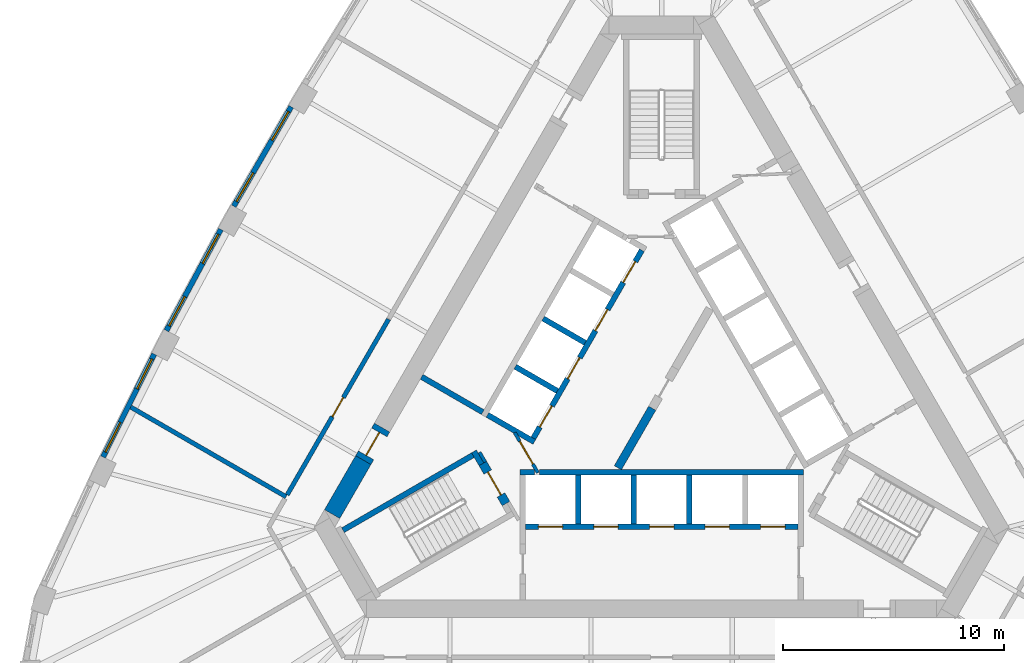
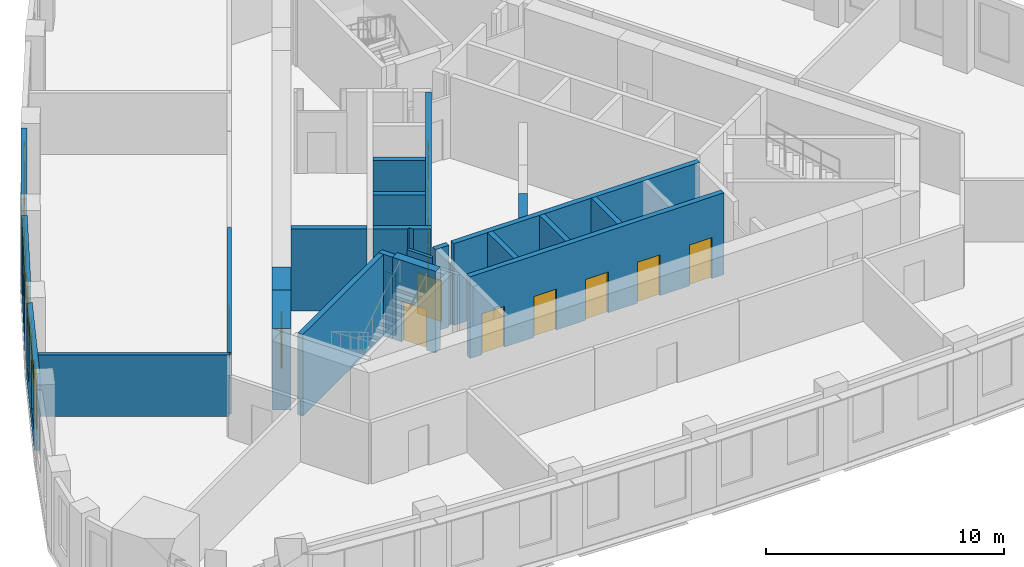
# One storey, part 4 of 9: 24 walls, 13 doors, 6 windows, 19 openings.
"""IFC4 building model written with IfcOpenShell, lengths in metres."""

from ifc_helpers import new_model, si_unit, direction, frame, frame_2d, origin, place, context, subcontext, project, spatial, polyline, rectangle, outline, extrude, material, layer, layer_set, type_object, element, fill, save


model = new_model("IFC4")

# Units and contexts
model_context = context("Model", 3, precision=1e-05, world=origin(), true_north=direction((0.0, 1.0)))
body_context = subcontext(model_context, "Body", "Model", "MODEL_VIEW")
ifc_project = project(units=[si_unit("LENGTHUNIT", "METRE"), si_unit("AREAUNIT", "SQUARE_METRE"), si_unit("VOLUMEUNIT", "CUBIC_METRE"), si_unit("PLANEANGLEUNIT", "RADIAN"), si_unit("MASSUNIT", "GRAM", prefix="KILO")], contexts=[model_context])

# Site, building, storey
site_placement = place(None, origin())
site = spatial("IfcSite", under=ifc_project, at=site_placement, CompositionType="ELEMENT")
building_placement = place(site_placement, origin())
building = spatial("IfcBuilding", under=site, at=building_placement, Name="Mestral Congress Tower", CompositionType="ELEMENT")
storey_placement = place(building_placement, frame((0.0, 0.0, 187.800048828125)))
storey = spatial("IfcBuildingStorey", under=building, at=storey_placement, Name="L44", CompositionType="ELEMENT", Elevation=187.800048828125)

# Walls
ifc_material_1 = material(Name="Fire-rated board partition")
ifc_layer_1 = layer(ifc_material_1, 0.14990234375)
ifc_layer_set_1 = layer_set([ifc_layer_1], Name="Fire-rated board partition")
wall_type_1 = type_object("IfcWallType", Name="Core partition 150", PredefinedType="PARTITIONING", material=ifc_layer_set_1)
wall_1_placement = place(storey_placement, frame((-8.251953125, -2.958251953125, 0.0), z_axis=(0.0, 0.0, 1.0), x_axis=(0.500174715838, -0.865924508047, 0.0)))
element("IfcWall", 1, at=wall_1_placement, inside=storey, type_object=wall_type_1, Name="L44 core wall", PredefinedType="PARTITIONING", context=body_context, shape_type="SweptSolid", body=[
    extrude(rectangle(XDim=0.513916015625, YDim=0.14990234375, at=frame_2d((0.2568359375, 0.0))), origin(), (0.0, 0.0, 1.0), 3.14990234375),
])
placement = place(storey_placement, origin())
element("IfcWall", 2, at=placement, inside=storey, type_object=wall_type_1, Name="L44 core wall", PredefinedType="PARTITIONING", context=body_context, shape_type="SweptSolid", body=[
    extrude(outline(polyline([(-0.590087890625, -0.871826171875), (-0.26513671875, -1.059326171875), (-1.822021484375, -3.755615234375), (-2.146728515625, -3.568115234375), (-0.590087890625, -0.871826171875)])), origin(), (0.0, 0.0, 1.0), 3.14990234375),
])

# Wall, opening, door
wall_3_placement = place(storey_placement, frame((-5.606201171875, -3.8896484375, 0.0), z_axis=(0.0, 0.0, 1.0), x_axis=(-0.500027713859, 0.866009402589, 0.0)))
wall_3 = element("IfcWall", 3, at=wall_3_placement, inside=storey, type_object=wall_type_1, Name="L44 door wall", PredefinedType="PARTITIONING", context=body_context, shape_type="SweptSolid", body=[
    extrude(rectangle(XDim=2.10009765625, YDim=0.14990234375, at=frame_2d((1.050048828125, 0.0))), origin(), (0.0, 0.0, 1.0), 3.14990234375),
])
opening_1_placement = place(wall_3_placement, frame((0.449951171875, 0.0, 0.0)))
opening_1 = element("IfcOpeningElement", 4, at=opening_1_placement, cuts=wall_3, Name="Opening CD3-FF", PredefinedType="OPENING", context=body_context, shape_type="SweptSolid", body=[
    extrude(rectangle(XDim=1.199951171875, YDim=2.10009765625, at=frame_2d((0.60009765625, 1.050048828125))), frame((0.0, 0.0849609375, 0.0), z_axis=(0.0, -1.0, 0.0), x_axis=(1.0, 0.0, 0.0)), (0.0, 0.0, 1.0), 0.169921875),
])
ifc_material_2 = material(Name="Fire-rated steel door set", Category="steel")
door_type_1 = type_object("IfcDoorType", Name="Core door CD 1200x2100", OperationType="SINGLE_SWING_LEFT", PredefinedType="DOOR", material=ifc_material_2)
door_1_placement = place(opening_1_placement, origin())
door_1 = element("IfcDoor", 5, at=door_1_placement, inside=storey, type_object=door_type_1, Name="Door CD3-FF", OperationType="SINGLE_SWING_LEFT", OverallHeight=2.10009765625, OverallWidth=1.199951171875, PredefinedType="DOOR", context=body_context, shape_type="SweptSolid", body=[
    extrude(rectangle(XDim=1.199951171875, YDim=2.10009765625, at=frame_2d((0.60009765625, 1.050048828125))), frame((0.0, 0.02490234375, 0.0), z_axis=(0.0, -1.0, 0.0), x_axis=(1.0, 0.0, 0.0)), (0.0, 0.0, 1.0), 0.050048828125),
])
fill(opening_1, door_1)

# Wall
ifc_material_3 = material(Name="Concrete C60/75", Category="concrete")
ifc_layer_2 = layer(ifc_material_3, 0.800048828125)
ifc_layer_set_2 = layer_set([ifc_layer_2], Name="Concrete C60/75")
wall_type_2 = type_object("IfcWallType", Name="Core wall RC 800", PredefinedType="SOLIDWALL", material=ifc_layer_set_2)
wall_4_placement = place(storey_placement, frame((-13.518310546875, -3.314208984375, 0.0), z_axis=(0.0, 0.0, 1.0), x_axis=(-0.499969377405, -0.866043083026, 0.0)))
element("IfcWall", 6, at=wall_4_placement, inside=storey, type_object=wall_type_2, Name="L44 core wall", PredefinedType="SOLIDWALL", context=body_context, shape_type="SweptSolid", body=[
    extrude(rectangle(XDim=2.824462890625, YDim=0.800048828125, at=frame_2d((1.412109375, 0.0))), origin(), (0.0, 0.0, 1.0), 4.199951171875),
])

# Wall, opening, door
wall_5_placement = place(storey_placement, frame((-13.518310546875, -3.314208984375, 0.0), z_axis=(0.0, 0.0, 1.0), x_axis=(0.500000056704, 0.866025371046, 0.0)))
wall_5 = element("IfcWall", 7, at=wall_5_placement, inside=storey, type_object=wall_type_2, Name="L44 door wall", PredefinedType="SOLIDWALL", context=body_context, shape_type="SweptSolid", body=[
    extrude(rectangle(XDim=1.7001953125, YDim=0.800048828125, at=frame_2d((0.85009765625, 0.0))), origin(), (0.0, 0.0, 1.0), 4.199951171875),
])
opening_2_placement = place(wall_5_placement, frame((0.25, 0.0, 0.0)))
opening_2 = element("IfcOpeningElement", 8, at=opening_2_placement, cuts=wall_5, Name="Opening XD3", PredefinedType="OPENING", context=body_context, shape_type="SweptSolid", body=[
    extrude(rectangle(XDim=1.199951171875, YDim=2.10009765625, at=frame_2d((0.60009765625, 1.050048828125))), frame((0.0, 0.409912109375, 0.0), z_axis=(0.0, -1.0, 0.0), x_axis=(1.0, 0.0, 0.0)), (0.0, 0.0, 1.0), 0.820068359375),
])
door_type_2 = type_object("IfcDoorType", Name="Core door XD 1200x2100", OperationType="SINGLE_SWING_LEFT", PredefinedType="DOOR", material=ifc_material_2)
door_2_placement = place(opening_2_placement, origin())
door_2 = element("IfcDoor", 9, at=door_2_placement, inside=storey, type_object=door_type_2, Name="Door XD3", OperationType="SINGLE_SWING_LEFT", OverallHeight=2.10009765625, OverallWidth=1.199951171875, PredefinedType="DOOR", context=body_context, shape_type="SweptSolid", body=[
    extrude(rectangle(XDim=1.199951171875, YDim=2.10009765625, at=frame_2d((0.60009765625, 1.050048828125))), frame((0.0, 0.02490234375, 0.0), z_axis=(0.0, -1.0, 0.0), x_axis=(1.0, 0.0, 0.0)), (0.0, 0.0, 1.0), 0.050048828125),
])
fill(opening_2, door_2)

# Wall, openings, windows
ifc_material_4 = material(Name="Precast concrete C40/50 with limestone facing", Category="masonry")
ifc_layer_3 = layer(ifc_material_4, 0.239990234375)
ifc_layer_set_3 = layer_set([ifc_layer_3], Name="Precast concrete C40/50 with limestone facing")
wall_type_3 = type_object("IfcWallType", Name="Facade stone wall 240", PredefinedType="SOLIDWALL", material=ifc_layer_set_3)
wall_6_placement = place(storey_placement, frame((-16.788818359375, 12.697265625, 0.0), z_axis=(0.0, 0.0, 1.0), x_axis=(-0.500009456303, -0.866019944116, 0.0)))
wall_6 = element("IfcWall", 10, at=wall_6_placement, inside=storey, type_object=wall_type_3, Name="Facade wall F2-03", PredefinedType="SOLIDWALL", context=body_context, shape_type="SweptSolid", body=[
    extrude(rectangle(XDim=5.20361328125, YDim=0.239990234375, at=frame_2d((2.601806640625, 0.0))), origin(), (0.0, 0.0, 1.0), 3.949951171875),
])
opening_3_placement = place(wall_6_placement, frame((0.248291015625, 0.0, 0.89990234375)))
opening_3 = element("IfcOpeningElement", 11, at=opening_3_placement, cuts=wall_6, Name="Opening W4", PredefinedType="OPENING", context=body_context, shape_type="SweptSolid", body=[
    extrude(rectangle(XDim=1.5, YDim=2.550048828125, at=frame_2d((0.75, 1.27490234375))), frame((0.0, 0.1298828125, 0.0), z_axis=(0.0, -1.0, 0.0), x_axis=(1.0, 0.0, 0.0)), (0.0, 0.0, 1.0), 0.260009765625),
])
opening_4_placement = place(wall_6_placement, frame((3.455078125, 0.0, 0.89990234375)))
opening_4 = element("IfcOpeningElement", 12, at=opening_4_placement, cuts=wall_6, Name="Opening W4", PredefinedType="OPENING", context=body_context, shape_type="SweptSolid", body=[
    extrude(rectangle(XDim=1.5, YDim=2.550048828125, at=frame_2d((0.75, 1.27490234375))), frame((0.0, 0.1298828125, 0.0), z_axis=(0.0, -1.0, 0.0), x_axis=(1.0, 0.0, 0.0)), (0.0, 0.0, 1.0), 0.260009765625),
])
ifc_material_5 = material(Name="Clear low-emissivity double glazing", Category="glass")
window_type = type_object("IfcWindowType", Name="Facade punched window 1500 x 2550 sill 900", PartitioningType="SINGLE_PANEL", PredefinedType="WINDOW", material=ifc_material_5)
window_1_placement = place(opening_3_placement, origin())
window_1 = element("IfcWindow", 13, at=window_1_placement, inside=storey, type_object=window_type, Name="Window F2-03a", OverallHeight=2.550048828125, OverallWidth=1.5, PartitioningType="SINGLE_PANEL", PredefinedType="WINDOW", context=body_context, shape_type="SweptSolid", body=[
    extrude(rectangle(XDim=1.5, YDim=2.550048828125, at=frame_2d((0.75, 1.27490234375))), frame((0.0, 0.0400390625, 0.0), z_axis=(0.0, -1.0, 0.0), x_axis=(1.0, 0.0, 0.0)), (0.0, 0.0, 1.0), 0.06005859375),
])
fill(opening_3, window_1)
window_2_placement = place(opening_4_placement, origin())
window_2 = element("IfcWindow", 14, at=window_2_placement, inside=storey, type_object=window_type, Name="Window F2-03b", OverallHeight=2.550048828125, OverallWidth=1.5, PartitioningType="SINGLE_PANEL", PredefinedType="WINDOW", context=body_context, shape_type="SweptSolid", body=[
    extrude(rectangle(XDim=1.5, YDim=2.550048828125, at=frame_2d((0.75, 1.27490234375))), frame((0.0, 0.0400390625, 0.0), z_axis=(0.0, -1.0, 0.0), x_axis=(1.0, 0.0, 0.0)), (0.0, 0.0, 1.0), 0.06005859375),
])
fill(opening_4, window_2)

wall_7_placement = place(storey_placement, frame((-19.976806640625, 7.138671875, 0.0), z_axis=(0.0, 0.0, 1.0), x_axis=(-0.473349833294, -0.880874528704, 0.0)))
wall_7 = element("IfcWall", 15, at=wall_7_placement, inside=storey, type_object=wall_type_3, Name="Facade wall F2-04", PredefinedType="SOLIDWALL", context=body_context, shape_type="SweptSolid", body=[
    extrude(rectangle(XDim=5.20361328125, YDim=0.239990234375, at=frame_2d((2.601806640625, 0.0))), origin(), (0.0, 0.0, 1.0), 3.949951171875),
])
opening_5_placement = place(wall_7_placement, frame((0.248291015625, 0.0, 0.89990234375)))
opening_5 = element("IfcOpeningElement", 16, at=opening_5_placement, cuts=wall_7, Name="Opening W4", PredefinedType="OPENING", context=body_context, shape_type="SweptSolid", body=[
    extrude(rectangle(XDim=1.5, YDim=2.550048828125, at=frame_2d((0.75, 1.27490234375))), frame((0.0, 0.1298828125, 0.0), z_axis=(0.0, -1.0, 0.0), x_axis=(1.0, 0.0, 0.0)), (0.0, 0.0, 1.0), 0.260009765625),
])
opening_6_placement = place(wall_7_placement, frame((3.455078125, 0.0, 0.89990234375)))
opening_6 = element("IfcOpeningElement", 17, at=opening_6_placement, cuts=wall_7, Name="Opening W4", PredefinedType="OPENING", context=body_context, shape_type="SweptSolid", body=[
    extrude(rectangle(XDim=1.5, YDim=2.550048828125, at=frame_2d((0.75, 1.27490234375))), frame((0.0, 0.1298828125, 0.0), z_axis=(0.0, -1.0, 0.0), x_axis=(1.0, 0.0, 0.0)), (0.0, 0.0, 1.0), 0.260009765625),
])
window_3_placement = place(opening_5_placement, origin())
window_3 = element("IfcWindow", 18, at=window_3_placement, inside=storey, type_object=window_type, Name="Window F2-04a", OverallHeight=2.550048828125, OverallWidth=1.5, PartitioningType="SINGLE_PANEL", PredefinedType="WINDOW", context=body_context, shape_type="SweptSolid", body=[
    extrude(rectangle(XDim=1.5, YDim=2.550048828125, at=frame_2d((0.75, 1.27490234375))), frame((0.0, 0.0400390625, 0.0), z_axis=(0.0, -1.0, 0.0), x_axis=(1.0, 0.0, 0.0)), (0.0, 0.0, 1.0), 0.06005859375),
])
fill(opening_5, window_3)
window_4_placement = place(opening_6_placement, origin())
window_4 = element("IfcWindow", 19, at=window_4_placement, inside=storey, type_object=window_type, Name="Window F2-04b", OverallHeight=2.550048828125, OverallWidth=1.5, PartitioningType="SINGLE_PANEL", PredefinedType="WINDOW", context=body_context, shape_type="SweptSolid", body=[
    extrude(rectangle(XDim=1.5, YDim=2.550048828125, at=frame_2d((0.75, 1.27490234375))), frame((0.0, 0.0400390625, 0.0), z_axis=(0.0, -1.0, 0.0), x_axis=(1.0, 0.0, 0.0)), (0.0, 0.0, 1.0), 0.06005859375),
])
fill(opening_6, window_4)

wall_8_placement = place(storey_placement, frame((-22.993896484375, 1.485107421875, 0.0), z_axis=(0.0, 0.0, 1.0), x_axis=(-0.446256171312, -0.8949052629, 0.0)))
wall_8 = element("IfcWall", 20, at=wall_8_placement, inside=storey, type_object=wall_type_3, Name="Facade wall F2-05", PredefinedType="SOLIDWALL", context=body_context, shape_type="SweptSolid", body=[
    extrude(rectangle(XDim=5.203369140625, YDim=0.239990234375, at=frame_2d((2.6015625, 0.0))), origin(), (0.0, 0.0, 1.0), 3.949951171875),
])
opening_7_placement = place(wall_8_placement, frame((0.248291015625, 0.0, 0.89990234375)))
opening_7 = element("IfcOpeningElement", 21, at=opening_7_placement, cuts=wall_8, Name="Opening W4", PredefinedType="OPENING", context=body_context, shape_type="SweptSolid", body=[
    extrude(rectangle(XDim=1.5, YDim=2.550048828125, at=frame_2d((0.75, 1.27490234375))), frame((0.0, 0.1298828125, 0.0), z_axis=(0.0, -1.0, 0.0), x_axis=(1.0, 0.0, 0.0)), (0.0, 0.0, 1.0), 0.260009765625),
])
opening_8_placement = place(wall_8_placement, frame((3.455078125, 0.0, 0.89990234375)))
opening_8 = element("IfcOpeningElement", 22, at=opening_8_placement, cuts=wall_8, Name="Opening W4", PredefinedType="OPENING", context=body_context, shape_type="SweptSolid", body=[
    extrude(rectangle(XDim=1.5, YDim=2.550048828125, at=frame_2d((0.75, 1.27490234375))), frame((0.0, 0.1298828125, 0.0), z_axis=(0.0, -1.0, 0.0), x_axis=(1.0, 0.0, 0.0)), (0.0, 0.0, 1.0), 0.260009765625),
])
window_5_placement = place(opening_7_placement, origin())
window_5 = element("IfcWindow", 23, at=window_5_placement, inside=storey, type_object=window_type, Name="Window F2-05a", OverallHeight=2.550048828125, OverallWidth=1.5, PartitioningType="SINGLE_PANEL", PredefinedType="WINDOW", context=body_context, shape_type="SweptSolid", body=[
    extrude(rectangle(XDim=1.5, YDim=2.550048828125, at=frame_2d((0.75, 1.27490234375))), frame((0.0, 0.0400390625, 0.0), z_axis=(0.0, -1.0, 0.0), x_axis=(1.0, 0.0, 0.0)), (0.0, 0.0, 1.0), 0.06005859375),
])
fill(opening_7, window_5)
window_6_placement = place(opening_8_placement, origin())
window_6 = element("IfcWindow", 24, at=window_6_placement, inside=storey, type_object=window_type, Name="Window F2-05b", OverallHeight=2.550048828125, OverallWidth=1.5, PartitioningType="SINGLE_PANEL", PredefinedType="WINDOW", context=body_context, shape_type="SweptSolid", body=[
    extrude(rectangle(XDim=1.5, YDim=2.550048828125, at=frame_2d((0.75, 1.27490234375))), frame((0.0, 0.0400390625, 0.0), z_axis=(0.0, -1.0, 0.0), x_axis=(1.0, 0.0, 0.0)), (0.0, 0.0, 1.0), 0.06005859375),
])
fill(opening_8, window_6)

# Wall
ifc_material_6 = material(Name="Dense masonry wall, plastered", Category="masonry")
ifc_layer_4 = layer(ifc_material_6, 0.199951171875)
ifc_layer_set_4 = layer_set([ifc_layer_4], Name="Dense masonry wall, plastered")
wall_type_4 = type_object("IfcWallType", Name="Office tenancy wall 200", PredefinedType="PARTITIONING", material=ifc_layer_set_4)
wall_9_placement = place(storey_placement, frame((-17.017822265625, -4.9755859375, 0.0), z_axis=(0.0, 0.0, 1.0), x_axis=(-0.866034495264, 0.499984252764, 0.0)))
element("IfcWall", 25, at=wall_9_placement, inside=storey, type_object=wall_type_4, Name="Tenancy wall", PredefinedType="PARTITIONING", context=body_context, shape_type="SweptSolid", body=[
    extrude(rectangle(XDim=8.126220703125, YDim=0.199951171875, at=frame_2d((4.06298828125, 0.0))), origin(), (0.0, 0.0, 1.0), 3.14990234375),
])

# Wall, opening, door
wall_10_placement = place(storey_placement, frame((-12.373779296875, 3.06787109375, 0.0), z_axis=(0.0, 0.0, 1.0), x_axis=(-0.50000000053, -0.866025403479, 0.0)))
wall_10 = element("IfcWall", 26, at=wall_10_placement, inside=storey, type_object=wall_type_4, Name="Tenancy wall", PredefinedType="PARTITIONING", context=body_context, shape_type="SweptSolid", body=[
    extrude(rectangle(XDim=9.18798828125, YDim=0.199951171875, at=frame_2d((4.593994140625, 0.0))), origin(), (0.0, 0.0, 1.0), 3.14990234375),
])
opening_9_placement = place(wall_10_placement, frame((4.10009765625, 0.0, 0.0)))
opening_9 = element("IfcOpeningElement", 27, at=opening_9_placement, cuts=wall_10, Name="Opening O04-008", PredefinedType="OPENING", context=body_context, shape_type="SweptSolid", body=[
    extrude(rectangle(XDim=1.0, YDim=2.10009765625, at=frame_2d((0.5, 1.050048828125))), frame((0.0, 0.10986328125, 0.0), z_axis=(0.0, -1.0, 0.0), x_axis=(1.0, 0.0, 0.0)), (0.0, 0.0, 1.0), 0.219970703125),
])
ifc_material_7 = material(Name="Fire-rated timber door set", Category="wood")
door_type_3 = type_object("IfcDoorType", Name="Office tenancy entrance door 1000x2100", OperationType="SINGLE_SWING_LEFT", PredefinedType="DOOR", material=ifc_material_7)
door_3_placement = place(opening_9_placement, origin())
door_3 = element("IfcDoor", 28, at=door_3_placement, inside=storey, type_object=door_type_3, Name="Door O04-008", OperationType="SINGLE_SWING_RIGHT", OverallHeight=2.10009765625, OverallWidth=1.0, PredefinedType="DOOR", context=body_context, shape_type="SweptSolid", body=[
    extrude(rectangle(XDim=1.0, YDim=2.10009765625, at=frame_2d((0.5, 1.050048828125))), frame((0.0, 0.02490234375, 0.0), z_axis=(0.0, -1.0, 0.0), x_axis=(1.0, 0.0, 0.0)), (0.0, 0.0, 1.0), 0.050048828125),
])
fill(opening_9, door_3)

# Walls
ifc_layer_5 = layer(ifc_material_3, 0.25)
ifc_layer_set_5 = layer_set([ifc_layer_5], Name="Concrete C60/75")
wall_type_5 = type_object("IfcWallType", Name="Shaft wall RC 250", PredefinedType="SOLIDWALL", material=ifc_layer_set_5)
wall_11_placement = place(storey_placement, frame((-5.544921875, -3.875, 0.0), z_axis=(0.0, 0.0, 1.0), x_axis=(1.0, 0.0, 0.0)))
element("IfcWall", 29, at=wall_11_placement, inside=storey, type_object=wall_type_5, Name="L44 core wall", PredefinedType="SOLIDWALL", context=body_context, shape_type="SweptSolid", body=[
    extrude(rectangle(XDim=11.969970703125, YDim=0.25, at=frame_2d((5.98486328125, 0.0))), origin(), (0.0, 0.0, 1.0), 4.199951171875),
])
wall_12_placement = place(storey_placement, frame((-6.425048828125, -3.875, 0.0), z_axis=(0.0, 0.0, 1.0), x_axis=(1.0, 0.0, 0.0)))
element("IfcWall", 30, at=wall_12_placement, inside=storey, type_object=wall_type_5, Name="L44 core wall", PredefinedType="SOLIDWALL", context=body_context, shape_type="SweptSolid", body=[
    extrude(rectangle(XDim=0.657958984375, YDim=0.25, at=frame_2d((0.3291015625, 0.0))), origin(), (0.0, 0.0, 1.0), 4.199951171875),
])
for number, where, z_axis, x_axis, name in (
    (31, (1.260009765625, -4.0, 0.0), (0.0, 0.0, 1.0), (0.0, -1.0, 0.0), "L44 core wall"),
    (32, (-1.260009765625, -4.0, 0.0), (0.0, 0.0, 1.0), (0.0, -1.0, 0.0), "L44 core wall"),
    (33, (-3.780029296875, -4.0, 0.0), (0.0, 0.0, 1.0), (0.0, -1.0, 0.0), "L44 core wall"),
    (34, (-5.369384765625, 3.10009765625, 0.0), (0.0, 0.0, 1.0), (0.866008176907, -0.50002983664, 0.0), "L44 core wall"),
    (35, (-4.72412109375, -0.182373046875, 0.0), (0.0, 0.0, 1.0), (-0.866008176907, 0.50002983664, 0.0), "L44 core wall"),
):
    element("IfcWall", number, at=place(storey_placement, frame(where, z_axis=z_axis, x_axis=x_axis)), inside=storey, type_object=wall_type_5, Name=name, PredefinedType="SOLIDWALL", context=body_context, shape_type="SweptSolid", body=[
        extrude(rectangle(XDim=2.199951171875, YDim=0.25, at=frame_2d((1.10009765625, 0.0))), origin(), (0.0, 0.0, 1.0), 4.199951171875),
    ])
element("IfcWall", 36, at=placement, inside=storey, type_object=wall_type_5, Name="L44 core wall", PredefinedType="SOLIDWALL", context=body_context, shape_type="SweptSolid", body=[
    extrude(outline(polyline([(-5.921630859375, -2.256591796875), (-5.921630859375, -2.256591796875), (-5.705078125, -2.381591796875), (-5.830078125, -2.597900390625), (-6.48291015625, -2.22119140625), (-6.59130859375, -2.033447265625), (-6.59130859375, -2.033447265625), (-6.69970703125, -2.095947265625), (-7.951904296875, -1.373046875), (-7.826904296875, -1.156494140625), (-5.921630859375, -2.256591796875)])), origin(), (0.0, 0.0, 1.0), 4.199951171875),
])
wall_14_placement = place(storey_placement, frame((-8.10595703125, -1.139892578125, 0.0), z_axis=(0.0, 0.0, 1.0), x_axis=(-0.866008981251, 0.500028443584, 0.0)))
element("IfcWall", 37, at=wall_14_placement, inside=storey, type_object=wall_type_5, Name="L44 core wall", PredefinedType="SOLIDWALL", context=body_context, shape_type="SweptSolid", body=[
    extrude(rectangle(XDim=3.199951171875, YDim=0.25, at=frame_2d((1.60009765625, 0.0))), origin(), (0.0, 0.0, 1.0), 4.199951171875),
])

# Wall, openings, doors
wall_15_placement = place(storey_placement, frame((-6.175048828125, -6.324951171875, 0.0), z_axis=(0.0, 0.0, 1.0), x_axis=(1.0, 0.0, 0.0)))
wall_15 = element("IfcWall", 38, at=wall_15_placement, inside=storey, type_object=wall_type_5, Name="L44 door wall", PredefinedType="SOLIDWALL", context=body_context, shape_type="SweptSolid", body=[
    extrude(rectangle(XDim=12.35009765625, YDim=0.25, at=frame_2d((6.175048828125, 0.0))), origin(), (0.0, 0.0, 1.0), 4.199951171875),
])
opening_10_placement = place(wall_15_placement, frame((0.5849609375, 0.0, 0.0)))
opening_10 = element("IfcOpeningElement", 39, at=opening_10_placement, cuts=wall_15, Name="Opening LD-SOB1", PredefinedType="OPENING", context=body_context, shape_type="SweptSolid", body=[
    extrude(rectangle(XDim=1.10009765625, YDim=2.10009765625, at=frame_2d((0.550048828125, 1.050048828125))), frame((0.0, 0.135009765625, 0.0), z_axis=(0.0, -1.0, 0.0), x_axis=(1.0, 0.0, 0.0)), (0.0, 0.0, 1.0), 0.27001953125),
])
opening_11_placement = place(wall_15_placement, frame((3.10498046875, 0.0, 0.0)))
opening_11 = element("IfcOpeningElement", 40, at=opening_11_placement, cuts=wall_15, Name="Opening LD-SOB2", PredefinedType="OPENING", context=body_context, shape_type="SweptSolid", body=[
    extrude(rectangle(XDim=1.10009765625, YDim=2.10009765625, at=frame_2d((0.550048828125, 1.050048828125))), frame((0.0, 0.135009765625, 0.0), z_axis=(0.0, -1.0, 0.0), x_axis=(1.0, 0.0, 0.0)), (0.0, 0.0, 1.0), 0.27001953125),
])
opening_12_placement = place(wall_15_placement, frame((5.625, 0.0, 0.0)))
opening_12 = element("IfcOpeningElement", 41, at=opening_12_placement, cuts=wall_15, Name="Opening LD-SOB3", PredefinedType="OPENING", context=body_context, shape_type="SweptSolid", body=[
    extrude(rectangle(XDim=1.10009765625, YDim=2.10009765625, at=frame_2d((0.550048828125, 1.050048828125))), frame((0.0, 0.135009765625, 0.0), z_axis=(0.0, -1.0, 0.0), x_axis=(1.0, 0.0, 0.0)), (0.0, 0.0, 1.0), 0.27001953125),
])
opening_13_placement = place(wall_15_placement, frame((8.14501953125, 0.0, 0.0)))
opening_13 = element("IfcOpeningElement", 42, at=opening_13_placement, cuts=wall_15, Name="Opening LD-SOB4", PredefinedType="OPENING", context=body_context, shape_type="SweptSolid", body=[
    extrude(rectangle(XDim=1.10009765625, YDim=2.10009765625, at=frame_2d((0.550048828125, 1.050048828125))), frame((0.0, 0.135009765625, 0.0), z_axis=(0.0, -1.0, 0.0), x_axis=(1.0, 0.0, 0.0)), (0.0, 0.0, 1.0), 0.27001953125),
])
opening_14_placement = place(wall_15_placement, frame((10.6650390625, 0.0, 0.0)))
opening_14 = element("IfcOpeningElement", 43, at=opening_14_placement, cuts=wall_15, Name="Opening LD-SOB5", PredefinedType="OPENING", context=body_context, shape_type="SweptSolid", body=[
    extrude(rectangle(XDim=1.10009765625, YDim=2.10009765625, at=frame_2d((0.550048828125, 1.050048828125))), frame((0.0, 0.135009765625, 0.0), z_axis=(0.0, -1.0, 0.0), x_axis=(1.0, 0.0, 0.0)), (0.0, 0.0, 1.0), 0.27001953125),
])
door_type_4 = type_object("IfcDoorType", Name="Core door LD 1100x2100", OperationType="DOUBLE_DOOR_SLIDING", PredefinedType="DOOR", material=ifc_material_2)
door_4_placement = place(opening_10_placement, origin())
door_4 = element("IfcDoor", 44, at=door_4_placement, inside=storey, type_object=door_type_4, Name="Door LD-SOB1", OperationType="DOUBLE_DOOR_SLIDING", OverallHeight=2.10009765625, OverallWidth=1.10009765625, PredefinedType="DOOR", context=body_context, shape_type="SweptSolid", body=[
    extrude(rectangle(XDim=1.10009765625, YDim=2.10009765625, at=frame_2d((0.550048828125, 1.050048828125))), frame((0.0, 0.02490234375, 0.0), z_axis=(0.0, -1.0, 0.0), x_axis=(1.0, 0.0, 0.0)), (0.0, 0.0, 1.0), 0.050048828125),
])
fill(opening_10, door_4)
door_5_placement = place(opening_11_placement, origin())
door_5 = element("IfcDoor", 45, at=door_5_placement, inside=storey, type_object=door_type_4, Name="Door LD-SOB2", OperationType="DOUBLE_DOOR_SLIDING", OverallHeight=2.10009765625, OverallWidth=1.10009765625, PredefinedType="DOOR", context=body_context, shape_type="SweptSolid", body=[
    extrude(rectangle(XDim=1.10009765625, YDim=2.10009765625, at=frame_2d((0.550048828125, 1.050048828125))), frame((0.0, 0.02490234375, 0.0), z_axis=(0.0, -1.0, 0.0), x_axis=(1.0, 0.0, 0.0)), (0.0, 0.0, 1.0), 0.050048828125),
])
fill(opening_11, door_5)
door_6_placement = place(opening_12_placement, origin())
door_6 = element("IfcDoor", 46, at=door_6_placement, inside=storey, type_object=door_type_4, Name="Door LD-SOB3", OperationType="DOUBLE_DOOR_SLIDING", OverallHeight=2.10009765625, OverallWidth=1.10009765625, PredefinedType="DOOR", context=body_context, shape_type="SweptSolid", body=[
    extrude(rectangle(XDim=1.10009765625, YDim=2.10009765625, at=frame_2d((0.550048828125, 1.050048828125))), frame((0.0, 0.02490234375, 0.0), z_axis=(0.0, -1.0, 0.0), x_axis=(1.0, 0.0, 0.0)), (0.0, 0.0, 1.0), 0.050048828125),
])
fill(opening_12, door_6)
door_7_placement = place(opening_13_placement, origin())
door_7 = element("IfcDoor", 47, at=door_7_placement, inside=storey, type_object=door_type_4, Name="Door LD-SOB4", OperationType="DOUBLE_DOOR_SLIDING", OverallHeight=2.10009765625, OverallWidth=1.10009765625, PredefinedType="DOOR", context=body_context, shape_type="SweptSolid", body=[
    extrude(rectangle(XDim=1.10009765625, YDim=2.10009765625, at=frame_2d((0.550048828125, 1.050048828125))), frame((0.0, 0.02490234375, 0.0), z_axis=(0.0, -1.0, 0.0), x_axis=(1.0, 0.0, 0.0)), (0.0, 0.0, 1.0), 0.050048828125),
])
fill(opening_13, door_7)
door_8_placement = place(opening_14_placement, origin())
door_8 = element("IfcDoor", 48, at=door_8_placement, inside=storey, type_object=door_type_4, Name="Door LD-SOB5", OperationType="DOUBLE_DOOR_SLIDING", OverallHeight=2.10009765625, OverallWidth=1.10009765625, PredefinedType="DOOR", context=body_context, shape_type="SweptSolid", body=[
    extrude(rectangle(XDim=1.10009765625, YDim=2.10009765625, at=frame_2d((0.550048828125, 1.050048828125))), frame((0.0, 0.02490234375, 0.0), z_axis=(0.0, -1.0, 0.0), x_axis=(1.0, 0.0, 0.0)), (0.0, 0.0, 1.0), 0.050048828125),
])
fill(opening_14, door_8)

wall_16_placement = place(storey_placement, frame((-0.898193359375, 6.194091796875, 0.0), z_axis=(0.0, 0.0, 1.0), x_axis=(-0.499996202215, -0.866027596426, 0.0)))
wall_16 = element("IfcWall", 49, at=wall_16_placement, inside=storey, type_object=wall_type_5, Name="L44 door wall", PredefinedType="SOLIDWALL", context=body_context, shape_type="SweptSolid", body=[
    extrude(rectangle(XDim=9.830078125, YDim=0.25, at=frame_2d((4.9150390625, 0.0))), origin(), (0.0, 0.0, 1.0), 4.199951171875),
])
opening_15_placement = place(wall_16_placement, frame((0.5849609375, 0.0, 0.0)))
opening_15 = element("IfcOpeningElement", 50, at=opening_15_placement, cuts=wall_16, Name="Opening LD-NWB1", PredefinedType="OPENING", context=body_context, shape_type="SweptSolid", body=[
    extrude(rectangle(XDim=1.10009765625, YDim=2.10009765625, at=frame_2d((0.550048828125, 1.050048828125))), frame((0.0, 0.135009765625, 0.0), z_axis=(0.0, -1.0, 0.0), x_axis=(1.0, 0.0, 0.0)), (0.0, 0.0, 1.0), 0.27001953125),
])
opening_16_placement = place(wall_16_placement, frame((3.10498046875, 0.0, 0.0)))
opening_16 = element("IfcOpeningElement", 51, at=opening_16_placement, cuts=wall_16, Name="Opening LD-NWB2", PredefinedType="OPENING", context=body_context, shape_type="SweptSolid", body=[
    extrude(rectangle(XDim=1.10009765625, YDim=2.10009765625, at=frame_2d((0.550048828125, 1.050048828125))), frame((0.0, 0.135009765625, 0.0), z_axis=(0.0, -1.0, 0.0), x_axis=(1.0, 0.0, 0.0)), (0.0, 0.0, 1.0), 0.27001953125),
])
opening_17_placement = place(wall_16_placement, frame((5.625, 0.0, 0.0)))
opening_17 = element("IfcOpeningElement", 52, at=opening_17_placement, cuts=wall_16, Name="Opening LD-NWB3", PredefinedType="OPENING", context=body_context, shape_type="SweptSolid", body=[
    extrude(rectangle(XDim=1.10009765625, YDim=2.10009765625, at=frame_2d((0.550048828125, 1.050048828125))), frame((0.0, 0.135009765625, 0.0), z_axis=(0.0, -1.0, 0.0), x_axis=(1.0, 0.0, 0.0)), (0.0, 0.0, 1.0), 0.27001953125),
])
opening_18_placement = place(wall_16_placement, frame((8.14501953125, 0.0, 0.0)))
opening_18 = element("IfcOpeningElement", 53, at=opening_18_placement, cuts=wall_16, Name="Opening LD-NWB4", PredefinedType="OPENING", context=body_context, shape_type="SweptSolid", body=[
    extrude(rectangle(XDim=1.10009765625, YDim=2.10009765625, at=frame_2d((0.550048828125, 1.050048828125))), frame((0.0, 0.135009765625, 0.0), z_axis=(0.0, -1.0, 0.0), x_axis=(1.0, 0.0, 0.0)), (0.0, 0.0, 1.0), 0.27001953125),
])
door_9_placement = place(opening_15_placement, origin())
door_9 = element("IfcDoor", 54, at=door_9_placement, inside=storey, type_object=door_type_4, Name="Door LD-NWB1", OperationType="DOUBLE_DOOR_SLIDING", OverallHeight=2.10009765625, OverallWidth=1.10009765625, PredefinedType="DOOR", context=body_context, shape_type="SweptSolid", body=[
    extrude(rectangle(XDim=1.10009765625, YDim=2.10009765625, at=frame_2d((0.550048828125, 1.050048828125))), frame((0.0, 0.02490234375, 0.0), z_axis=(0.0, -1.0, 0.0), x_axis=(1.0, 0.0, 0.0)), (0.0, 0.0, 1.0), 0.050048828125),
])
fill(opening_15, door_9)
door_10_placement = place(opening_16_placement, origin())
door_10 = element("IfcDoor", 55, at=door_10_placement, inside=storey, type_object=door_type_4, Name="Door LD-NWB2", OperationType="DOUBLE_DOOR_SLIDING", OverallHeight=2.10009765625, OverallWidth=1.10009765625, PredefinedType="DOOR", context=body_context, shape_type="SweptSolid", body=[
    extrude(rectangle(XDim=1.10009765625, YDim=2.10009765625, at=frame_2d((0.550048828125, 1.050048828125))), frame((0.0, 0.02490234375, 0.0), z_axis=(0.0, -1.0, 0.0), x_axis=(1.0, 0.0, 0.0)), (0.0, 0.0, 1.0), 0.050048828125),
])
fill(opening_16, door_10)
door_11_placement = place(opening_17_placement, origin())
door_11 = element("IfcDoor", 56, at=door_11_placement, inside=storey, type_object=door_type_4, Name="Door LD-NWB3", OperationType="DOUBLE_DOOR_SLIDING", OverallHeight=2.10009765625, OverallWidth=1.10009765625, PredefinedType="DOOR", context=body_context, shape_type="SweptSolid", body=[
    extrude(rectangle(XDim=1.10009765625, YDim=2.10009765625, at=frame_2d((0.550048828125, 1.050048828125))), frame((0.0, 0.02490234375, 0.0), z_axis=(0.0, -1.0, 0.0), x_axis=(1.0, 0.0, 0.0)), (0.0, 0.0, 1.0), 0.050048828125),
])
fill(opening_17, door_11)
door_12_placement = place(opening_18_placement, origin())
door_12 = element("IfcDoor", 57, at=door_12_placement, inside=storey, type_object=door_type_4, Name="Door LD-NWB4", OperationType="DOUBLE_DOOR_SLIDING", OverallHeight=2.10009765625, OverallWidth=1.10009765625, PredefinedType="DOOR", context=body_context, shape_type="SweptSolid", body=[
    extrude(rectangle(XDim=1.10009765625, YDim=2.10009765625, at=frame_2d((0.550048828125, 1.050048828125))), frame((0.0, 0.02490234375, 0.0), z_axis=(0.0, -1.0, 0.0), x_axis=(1.0, 0.0, 0.0)), (0.0, 0.0, 1.0), 0.050048828125),
])
fill(opening_18, door_12)

# Walls
ifc_layer_6 = layer(ifc_material_3, 0.25)
ifc_layer_set_6 = layer_set([ifc_layer_6], Name="Concrete C60/75")
wall_type_6 = type_object("IfcWallType", Name="Stair wall RC 250", PredefinedType="SOLIDWALL", material=ifc_layer_set_6)
wall_17_placement = place(storey_placement, frame((-14.43994140625, -6.489501953125, 0.0), z_axis=(0.0, 0.0, 1.0), x_axis=(0.866022966069, 0.500004222222, 0.0)))
element("IfcWall", 58, at=wall_17_placement, inside=storey, type_object=wall_type_6, Name="L44 core wall", PredefinedType="SOLIDWALL", context=body_context, shape_type="SweptSolid", body=[
    extrude(rectangle(XDim=6.80029296875, YDim=0.25, at=frame_2d((3.400146484375, 0.0))), origin(), (0.0, 0.0, 1.0), 4.199951171875),
])
wall_18_placement = place(storey_placement, frame((-8.167724609375, -3.503173828125, 0.0), z_axis=(0.0, 0.0, 1.0), x_axis=(-0.499952099219, 0.866053057547, 0.0)))
element("IfcWall", 59, at=wall_18_placement, inside=storey, type_object=wall_type_6, Name="L44 core wall", PredefinedType="SOLIDWALL", context=body_context, shape_type="SweptSolid", body=[
    extrude(rectangle(XDim=0.6748046875, YDim=0.25, at=frame_2d((0.33740234375, 0.0))), origin(), (0.0, 0.0, 1.0), 4.199951171875),
])

# Wall, opening, door
ifc_layer_7 = layer(ifc_material_3, 0.39990234375)
ifc_layer_set_7 = layer_set([ifc_layer_7], Name="Concrete C60/75")
wall_type_7 = type_object("IfcWallType", Name="Stair wall RC 250 door-wall 400", PredefinedType="SOLIDWALL", material=ifc_layer_set_7)
wall_19_placement = place(storey_placement, frame((-8.102783203125, -3.4658203125, 0.0), z_axis=(0.0, 0.0, 1.0), x_axis=(0.500078061341, -0.865980330357, 0.0)))
wall_19 = element("IfcWall", 60, at=wall_19_placement, inside=storey, type_object=wall_type_7, Name="L44 door wall", PredefinedType="SOLIDWALL", context=body_context, shape_type="SweptSolid", body=[
    extrude(rectangle(XDim=2.099853515625, YDim=0.39990234375, at=frame_2d((1.0498046875, 0.0))), origin(), (0.0, 0.0, 1.0), 4.199951171875),
])
opening_19_placement = place(wall_19_placement, frame((0.449951171875, 0.0, 0.0)))
opening_19 = element("IfcOpeningElement", 61, at=opening_19_placement, cuts=wall_19, Name="Opening ST-D3", PredefinedType="OPENING", context=body_context, shape_type="SweptSolid", body=[
    extrude(rectangle(XDim=1.199951171875, YDim=2.10009765625, at=frame_2d((0.60009765625, 1.050048828125))), frame((0.0, 0.2099609375, 0.0), z_axis=(0.0, -1.0, 0.0), x_axis=(1.0, 0.0, 0.0)), (0.0, 0.0, 1.0), 0.419921875),
])
door_type_5 = type_object("IfcDoorType", Name="Core door ST 1200x2100", OperationType="SINGLE_SWING_LEFT", PredefinedType="DOOR", material=ifc_material_2)
door_13_placement = place(opening_19_placement, origin())
door_13 = element("IfcDoor", 62, at=door_13_placement, inside=storey, type_object=door_type_5, Name="Door ST-D3", OperationType="SINGLE_SWING_LEFT", OverallHeight=2.10009765625, OverallWidth=1.199951171875, PredefinedType="DOOR", context=body_context, shape_type="SweptSolid", body=[
    extrude(rectangle(XDim=1.199951171875, YDim=2.10009765625, at=frame_2d((0.60009765625, 1.050048828125))), frame((0.0, 0.02490234375, 0.0), z_axis=(0.0, -1.0, 0.0), x_axis=(1.0, 0.0, 0.0)), (0.0, 0.0, 1.0), 0.050048828125),
])
fill(opening_19, door_13)

save(model, "model.ifc")
